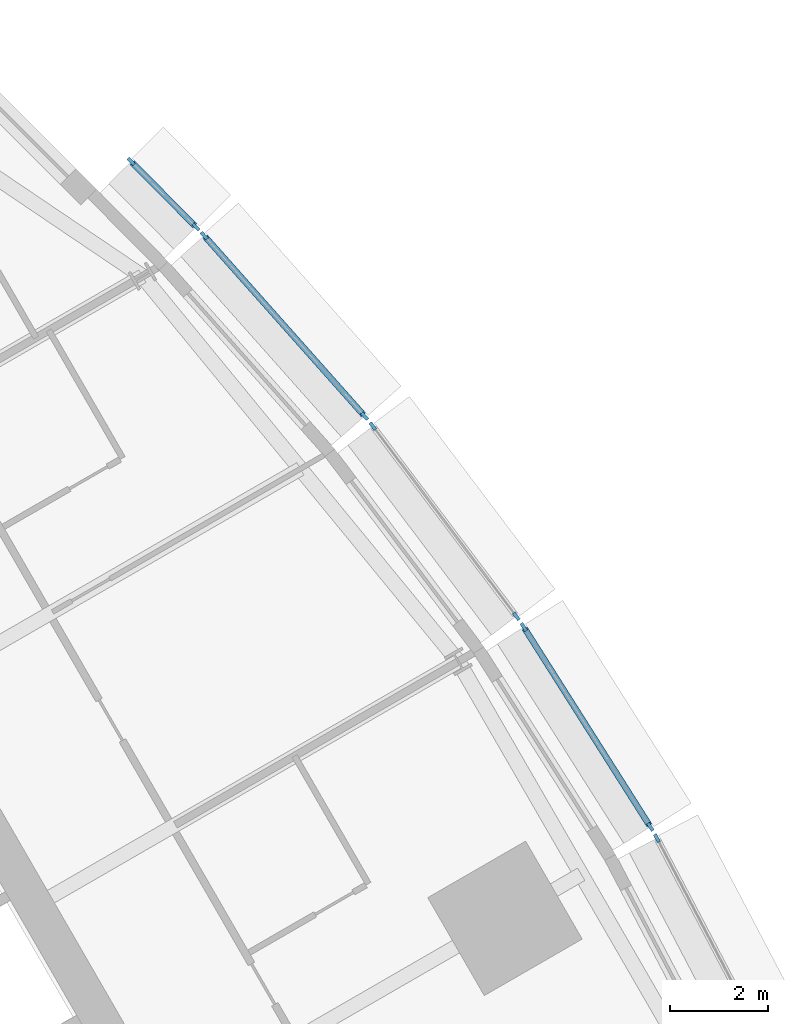
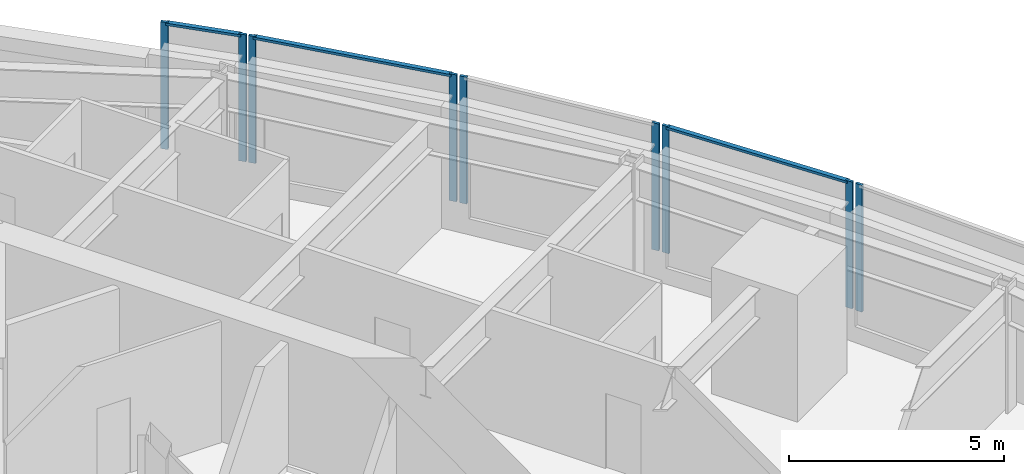
# One storey, part 6 of 15: 12 members, 5 elements without a shape of their own.
"""IFC4 building model written with IfcOpenShell, lengths in metres."""

from ifc_helpers import new_model, si_unit, direction, frame, origin, origin_2d, place, context, subcontext, project, spatial, rectangle, extrude, material, material_profile, profile_set, type_object, element, aggregate, save


model = new_model("IFC4")

# Units and contexts
model_context = context("Model", 3, precision=1e-05, world=origin(), true_north=direction((0.0, 1.0)))
body_context = subcontext(model_context, "Body", "Model", "MODEL_VIEW")
ifc_project = project(units=[si_unit("LENGTHUNIT", "METRE"), si_unit("AREAUNIT", "SQUARE_METRE"), si_unit("VOLUMEUNIT", "CUBIC_METRE"), si_unit("PLANEANGLEUNIT", "RADIAN"), si_unit("MASSUNIT", "GRAM", prefix="KILO")], contexts=[model_context])

# Site, building, storey
site_placement = place(None, origin())
site = spatial("IfcSite", under=ifc_project, at=site_placement, CompositionType="ELEMENT")
building_placement = place(site_placement, origin())
building = spatial("IfcBuilding", under=site, at=building_placement, Name="Trikona Tower", CompositionType="ELEMENT")
storey_placement = place(building_placement, frame((0.0, 0.0, 211.699951171875)))
storey = spatial("IfcBuildingStorey", under=building, at=storey_placement, Name="L56", CompositionType="ELEMENT", Elevation=211.699951171875)

# Curtain wall, member
ifc_material_1 = material(Name="Aluminium curtain wall system", Category="aluminium")
curtain_wall_type = type_object("IfcCurtainWallType", Name="Curtain wall DS3", PredefinedType="NOTDEFINED", material=ifc_material_1)
curtain_wall_1_placement = place(storey_placement, origin())
curtain_wall_1 = element("IfcCurtainWall", 1, at=curtain_wall_1_placement, inside=storey, type_object=curtain_wall_type, Name="Curtain wall DS3 L56", PredefinedType="NOTDEFINED")
ifc_material_2 = material(Name="Aluminium mullion, pale anodised", Category="aluminium")
ifc_material_profile_1 = material_profile(ifc_material_2, rectangle(XDim=0.070068359375, YDim=0.179931640625, at=origin_2d()), Name="MUL-DS3")
ifc_profile_set_1 = profile_set([ifc_material_profile_1], Name="Aluminium mullion, pale anodised")
member_type_1 = type_object("IfcMemberType", Name="Mullion DS3 70x180", PredefinedType="MULLION", material=ifc_profile_set_1)
member_1_placement = place(storey_placement, frame((18.40234375, 10.472412109375, 0.0), z_axis=(0.0, 0.0, 1.0), x_axis=(-0.885862390527, -0.463948084434, 0.0)))
member_1 = element("IfcMember", 2, at=member_1_placement, type_object=member_type_1, Name="CW-DS3 mullion 2", PredefinedType="MULLION", context=body_context, shape_type="SweptSolid", body=[
    extrude(rectangle(XDim=0.070068359375, YDim=0.179931640625, at=origin_2d()), origin(), (0.0, 0.0, 1.0), 3.60009765625),
])
aggregate(curtain_wall_1, [member_1])

# Curtain wall, members
curtain_wall_2_placement = place(storey_placement, origin())
curtain_wall_2 = element("IfcCurtainWall", 3, at=curtain_wall_2_placement, inside=storey, type_object=curtain_wall_type, Name="Curtain wall DS3 L56", PredefinedType="NOTDEFINED")
member_2_placement = place(storey_placement, frame((18.2705078125, 10.700927734375, 0.0), z_axis=(0.0, 0.0, 1.0), x_axis=(-0.844727131858, -0.535197227854, 0.0)))
member_2 = element("IfcMember", 4, at=member_2_placement, type_object=member_type_1, Name="CW-DS3 mullion 1", PredefinedType="MULLION", context=body_context, shape_type="SweptSolid", body=[
    extrude(rectangle(XDim=0.070068359375, YDim=0.179931640625, at=origin_2d()), origin(), (0.0, 0.0, 1.0), 3.60009765625),
])
member_3_placement = place(storey_placement, frame((15.69384765625, 14.767578125, 0.0), z_axis=(0.0, 0.0, 1.0), x_axis=(-0.844727131858, -0.535197227854, 0.0)))
member_3 = element("IfcMember", 5, at=member_3_placement, type_object=member_type_1, Name="CW-DS3 mullion 2", PredefinedType="MULLION", context=body_context, shape_type="SweptSolid", body=[
    extrude(rectangle(XDim=0.070068359375, YDim=0.179931640625, at=origin_2d()), origin(), (0.0, 0.0, 1.0), 3.60009765625),
])

curtain_wall_3_placement = place(storey_placement, origin())
curtain_wall_3 = element("IfcCurtainWall", 6, at=curtain_wall_3_placement, inside=storey, type_object=curtain_wall_type, Name="Curtain wall DS3 L56", PredefinedType="NOTDEFINED")
member_4_placement = place(storey_placement, frame((15.5439453125, 14.984130859375, 0.0), z_axis=(0.0, 0.0, 1.0), x_axis=(-0.798193208724, -0.602401528506, 0.0)))
member_4 = element("IfcMember", 7, at=member_4_placement, type_object=member_type_1, Name="CW-DS3 mullion 1", PredefinedType="MULLION", context=body_context, shape_type="SweptSolid", body=[
    extrude(rectangle(XDim=0.070068359375, YDim=0.179931640625, at=origin_2d()), origin(), (0.0, 0.0, 1.0), 3.60009765625),
])
member_5_placement = place(storey_placement, frame((12.62353515625, 18.853759765625, 0.0), z_axis=(0.0, 0.0, 1.0), x_axis=(-0.798193208724, -0.602401528506, 0.0)))
member_5 = element("IfcMember", 8, at=member_5_placement, type_object=member_type_1, Name="CW-DS3 mullion 2", PredefinedType="MULLION", context=body_context, shape_type="SweptSolid", body=[
    extrude(rectangle(XDim=0.070068359375, YDim=0.179931640625, at=origin_2d()), origin(), (0.0, 0.0, 1.0), 3.60009765625),
])
aggregate(curtain_wall_3, [member_4, member_5])

curtain_wall_4_placement = place(storey_placement, origin())
curtain_wall_4 = element("IfcCurtainWall", 9, at=curtain_wall_4_placement, inside=storey, type_object=curtain_wall_type, Name="Curtain wall DS3 L56", PredefinedType="NOTDEFINED")
member_6_placement = place(storey_placement, frame((12.45751953125, 19.056396484375, 0.0), z_axis=(0.0, 0.0, 1.0), x_axis=(-0.747402677853, -0.664371309689, 0.0)))
member_6 = element("IfcMember", 10, at=member_6_placement, type_object=member_type_1, Name="CW-DS3 mullion 1", PredefinedType="MULLION", context=body_context, shape_type="SweptSolid", body=[
    extrude(rectangle(XDim=0.070068359375, YDim=0.179931640625, at=origin_2d()), origin(), (0.0, 0.0, 1.0), 3.60009765625),
])
member_7_placement = place(storey_placement, frame((9.192138671875, 22.729736328125, 0.0), z_axis=(0.0, 0.0, 1.0), x_axis=(-0.747402677853, -0.664371309689, 0.0)))
member_7 = element("IfcMember", 11, at=member_7_placement, type_object=member_type_1, Name="CW-DS3 mullion 2", PredefinedType="MULLION", context=body_context, shape_type="SweptSolid", body=[
    extrude(rectangle(XDim=0.070068359375, YDim=0.179931640625, at=origin_2d()), origin(), (0.0, 0.0, 1.0), 3.60009765625),
])

curtain_wall_5_placement = place(storey_placement, origin())
curtain_wall_5 = element("IfcCurtainWall", 12, at=curtain_wall_5_placement, inside=storey, type_object=curtain_wall_type, Name="Curtain wall DS3 L56", PredefinedType="NOTDEFINED")
member_8_placement = place(storey_placement, frame((9.028564453125, 22.904052734375, 0.0), z_axis=(0.0, 0.0, 1.0), x_axis=(-0.710051900554, -0.704149343903, 0.0)))
member_8 = element("IfcMember", 13, at=member_8_placement, type_object=member_type_1, Name="CW-DS3 mullion 1", PredefinedType="MULLION", context=body_context, shape_type="SweptSolid", body=[
    extrude(rectangle(XDim=0.070068359375, YDim=0.179931640625, at=origin_2d()), origin(), (0.0, 0.0, 1.0), 3.60009765625),
])
member_9_placement = place(storey_placement, frame((7.7060546875, 24.237548828125, 0.0), z_axis=(0.0, 0.0, 1.0), x_axis=(-0.710051900554, -0.704149343903, 0.0)))
member_9 = element("IfcMember", 14, at=member_9_placement, type_object=member_type_1, Name="CW-DS3 mullion 2", PredefinedType="MULLION", context=body_context, shape_type="SweptSolid", body=[
    extrude(rectangle(XDim=0.070068359375, YDim=0.179931640625, at=origin_2d()), origin(), (0.0, 0.0, 1.0), 3.60009765625),
])

# Member
ifc_material_3 = material(Name="Aluminium transom, pale anodised", Category="aluminium")
ifc_material_profile_2 = material_profile(ifc_material_3, rectangle(XDim=0.1201171875, YDim=0.070068359375, at=origin_2d()), Name="TRN-DS3")
ifc_profile_set_2 = profile_set([ifc_material_profile_2], Name="Aluminium transom, pale anodised")
member_type_2 = type_object("IfcMemberType", Name="Transom DS3 70x120", PredefinedType="USERDEFINED", material=ifc_profile_set_2)
member_10_placement = place(storey_placement, frame((18.251708984375, 10.73046875, 3.56494140625), z_axis=(-0.535192866729, 0.844729894938, 0.0), x_axis=(-0.844729894938, -0.535192866729, 0.0)))
member_10 = element("IfcMember", 15, at=member_10_placement, type_object=member_type_2, Name="CW-DS3 transom 1.1", ObjectType="TRANSOM", PredefinedType="USERDEFINED", context=body_context, shape_type="SweptSolid", body=[
    extrude(rectangle(XDim=0.1201171875, YDim=0.070068359375, at=origin_2d()), origin(), (0.0, 0.0, 1.0), 4.744140625),
])

aggregate(curtain_wall_2, [member_2, member_3, member_10])

member_11_placement = place(storey_placement, frame((12.43408203125, 19.08251953125, 3.56494140625), z_axis=(-0.66436383883, 0.747409318684, 0.0), x_axis=(-0.747409318684, -0.66436383883, 0.0)))
member_11 = element("IfcMember", 16, at=member_11_placement, type_object=member_type_2, Name="CW-DS3 transom 1.1", ObjectType="TRANSOM", PredefinedType="USERDEFINED", context=body_context, shape_type="SweptSolid", body=[
    extrude(rectangle(XDim=0.1201171875, YDim=0.070068359375, at=origin_2d()), origin(), (0.0, 0.0, 1.0), 4.844970703125),
])

aggregate(curtain_wall_4, [member_6, member_7, member_11])

member_12_placement = place(storey_placement, frame((9.00390625, 22.9287109375, 3.56494140625), z_axis=(-0.704130668076, 0.710070420645, 0.0), x_axis=(-0.710070420645, -0.704130668076, 0.0)))
member_12 = element("IfcMember", 17, at=member_12_placement, type_object=member_type_2, Name="CW-DS3 transom 1.1", ObjectType="TRANSOM", PredefinedType="USERDEFINED", context=body_context, shape_type="SweptSolid", body=[
    extrude(rectangle(XDim=0.1201171875, YDim=0.070068359375, at=origin_2d()), origin(), (0.0, 0.0, 1.0), 1.80859375),
])

aggregate(curtain_wall_5, [member_8, member_9, member_12])

save(model, "model.ifc")
